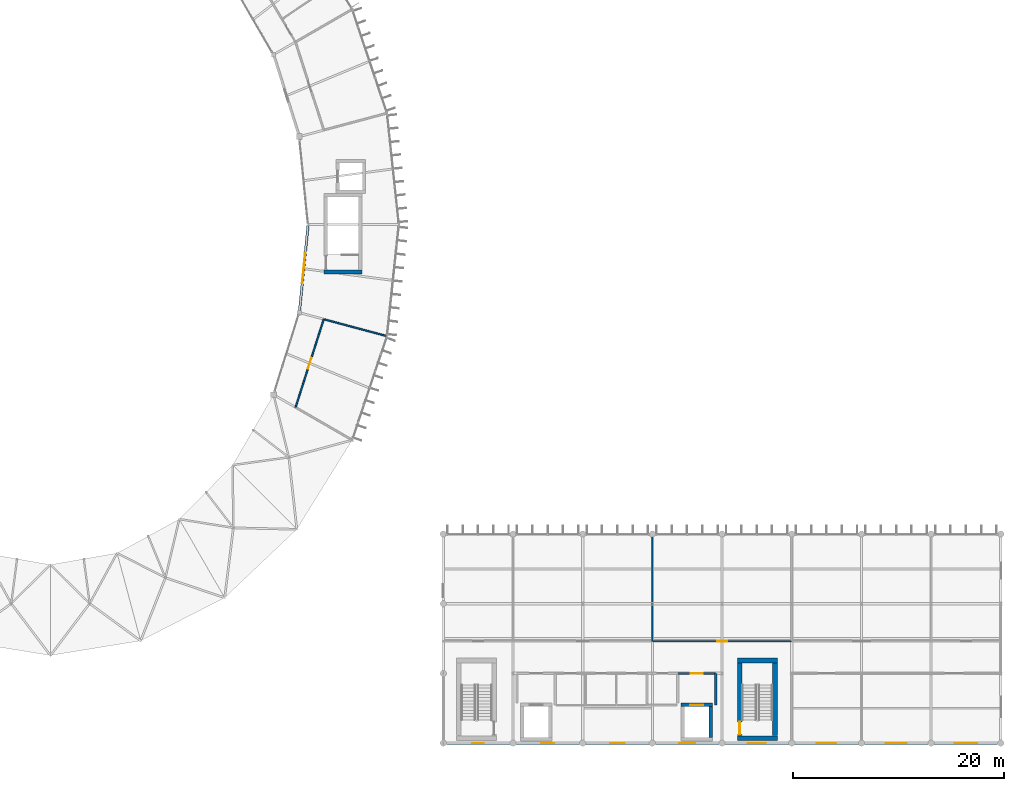
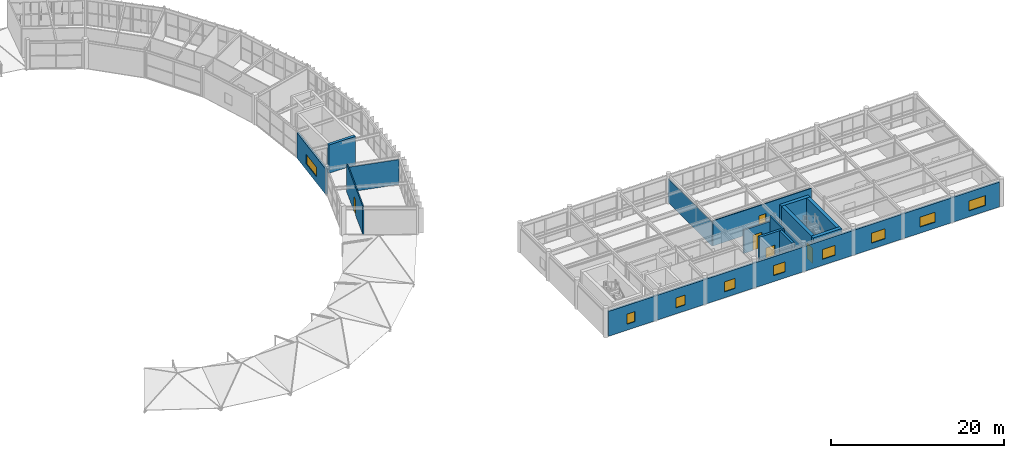
# One storey, part 56 of 66: 15 walls, 9 windows, 5 doors, 14 openings.
"""IFC4 building model written with IfcOpenShell, lengths in metres."""

from ifc_helpers import new_model, si_unit, direction, frame, frame_2d, origin, place, context, subcontext, project, spatial, rectangle, extrude, material, layer, layer_set, type_object, element, fill, save


model = new_model("IFC4")

# Units and contexts
model_context = context("Model", 3, precision=1e-05, world=origin(), true_north=direction((0.0, 1.0)))
body_context = subcontext(model_context, "Body", "Model", "MODEL_VIEW")
ifc_project = project(units=[si_unit("LENGTHUNIT", "METRE"), si_unit("AREAUNIT", "SQUARE_METRE"), si_unit("VOLUMEUNIT", "CUBIC_METRE"), si_unit("PLANEANGLEUNIT", "RADIAN"), si_unit("MASSUNIT", "GRAM", prefix="KILO")], contexts=[model_context])

# Site, building, storey
site_placement = place(None, origin())
site = spatial("IfcSite", under=ifc_project, at=site_placement, CompositionType="ELEMENT")
building_placement = place(site_placement, origin())
building = spatial("IfcBuilding", under=site, at=building_placement, Name="Karori Crest Natural Sciences Institute", CompositionType="ELEMENT")
storey_placement = place(building_placement, frame((0.0, 0.0, 30.10009765625)))
storey = spatial("IfcBuildingStorey", under=building, at=storey_placement, Name="L07", CompositionType="ELEMENT", Elevation=30.10009765625)

# Walls
ifc_material_1 = material(Name="Concrete 50 MPa", Category="concrete")
ifc_layer_1 = layer(ifc_material_1, 0.449951171875, Name="Concrete 50 MPa")
ifc_layer_set_1 = layer_set([ifc_layer_1], Name="Concrete 50 MPa")
wall_type_1 = type_object("IfcWallType", Name="IWT-01", PredefinedType="SHEAR", material=ifc_layer_set_1)
for number, where, z_axis, x_axis, name in (
    (1, (131.449951171875, 1.27490234375, 0.0), (0.0, 0.0, 1.0), (1.0, 0.0, 0.0), "Shear wall IW-0149"),
    (2, (131.449951171875, 8.625, 0.0), (0.0, 0.0, 1.0), (1.0, 0.0, 0.0), "Shear wall IW-0150"),
):
    element("IfcWall", number, at=place(storey_placement, frame(where, z_axis=z_axis, x_axis=x_axis)), inside=storey, type_object=wall_type_1, Name=name, PredefinedType="SHEAR", context=body_context, shape_type="SweptSolid", body=[
        extrude(rectangle(XDim=3.800048828125, YDim=0.449951171875, at=frame_2d((1.89990234375, 0.0))), origin(), (0.0, 0.0, 1.0), 4.02001953125),
    ])

# Wall, opening, door
wall_1_placement = place(storey_placement, frame((131.675048828125, 1.501953125, 0.0), z_axis=(0.0, 0.0, 1.0), x_axis=(0.0, 1.0, 0.0)))
wall_1 = element("IfcWall", 3, at=wall_1_placement, inside=storey, type_object=wall_type_1, Name="Shear wall IW-0151", PredefinedType="SHEAR", context=body_context, shape_type="SweptSolid", body=[
    extrude(rectangle(XDim=6.89599609375, YDim=0.449951171875, at=frame_2d((3.447998046875, 0.0))), origin(), (0.0, 0.0, 1.0), 4.02001953125),
])
opening_1_placement = place(wall_1_placement, frame((0.1201171875, 0.0, 0.0)))
opening_1 = element("IfcOpeningElement", 4, at=opening_1_placement, cuts=wall_1, Name="Opening ID-0038", PredefinedType="OPENING", context=body_context, shape_type="SweptSolid", body=[
    extrude(rectangle(XDim=1.199951171875, YDim=2.14990234375, at=frame_2d((0.60009765625, 1.074951171875))), frame((0.0, 0.23486328125, 0.0), z_axis=(0.0, -1.0, 0.0), x_axis=(1.0, 0.0, 0.0)), (0.0, 0.0, 1.0), 0.469970703125),
])
ifc_material_2 = material(Name="Stainless steel 316 and fire-rated timber", Category="steel")
door_type_1 = type_object("IfcDoorType", Name="IDT-01", OperationType="NOTDEFINED", PredefinedType="DOOR", material=ifc_material_2)
door_1_placement = place(opening_1_placement, origin())
door_1 = element("IfcDoor", 5, at=door_1_placement, inside=storey, type_object=door_type_1, Name="Stair ST-04 fire door ID-0038", OperationType="SINGLE_SWING_RIGHT", OverallHeight=2.14990234375, OverallWidth=1.199951171875, PredefinedType="DOOR", context=body_context, shape_type="SweptSolid", body=[
    extrude(rectangle(XDim=1.199951171875, YDim=2.14990234375, at=frame_2d((0.60009765625, 1.074951171875))), frame((0.0, 0.02490234375, 0.0), z_axis=(0.0, -1.0, 0.0), x_axis=(1.0, 0.0, 0.0)), (0.0, 0.0, 1.0), 0.050048828125),
])
fill(opening_1, door_1)

# Walls
wall_2_placement = place(storey_placement, frame((135.02490234375, 1.501953125, 0.0), z_axis=(0.0, 0.0, 1.0), x_axis=(0.0, 1.0, 0.0)))
element("IfcWall", 6, at=wall_2_placement, inside=storey, type_object=wall_type_1, Name="Shear wall IW-0152", PredefinedType="SHEAR", context=body_context, shape_type="SweptSolid", body=[
    extrude(rectangle(XDim=6.89599609375, YDim=0.449951171875, at=frame_2d((3.447998046875, 0.0))), origin(), (0.0, 0.0, 1.0), 4.02001953125),
])
ifc_layer_2 = layer(ifc_material_1, 0.35009765625, Name="Concrete 50 MPa")
ifc_layer_set_2 = layer_set([ifc_layer_2], Name="Concrete 50 MPa")
wall_type_2 = type_object("IfcWallType", Name="IWT-02", PredefinedType="SHEAR", material=ifc_layer_set_2)
wall_3_placement = place(storey_placement, frame((92.300048828125, 45.425048828125, 0.0), z_axis=(0.0, 0.0, 1.0), x_axis=(1.0, 0.0, 0.0)))
element("IfcWall", 7, at=wall_3_placement, inside=storey, type_object=wall_type_2, Name="Shear wall IW-0033", PredefinedType="SHEAR", context=body_context, shape_type="SweptSolid", body=[
    extrude(rectangle(XDim=3.599853515625, YDim=0.35009765625, at=frame_2d((1.7998046875, 0.0))), origin(), (0.0, 0.0, 1.0), 4.0),
])

# Wall, opening, door
ifc_layer_3 = layer(ifc_material_1, 0.320068359375, Name="Concrete 50 MPa")
ifc_layer_set_3 = layer_set([ifc_layer_3], Name="Concrete 50 MPa")
wall_type_3 = type_object("IfcWallType", Name="IWT-03", PredefinedType="SHEAR", material=ifc_layer_set_3)
wall_4_placement = place(storey_placement, frame((126.1201171875, 4.419921875, 0.0), z_axis=(0.0, 0.0, 1.0), x_axis=(1.0, 0.0, 0.0)))
wall_4 = element("IfcWall", 8, at=wall_4_placement, inside=storey, type_object=wall_type_3, Name="Shear wall IW-0386", PredefinedType="SHEAR", context=body_context, shape_type="SweptSolid", body=[
    extrude(rectangle(XDim=2.9599609375, YDim=0.320068359375, at=frame_2d((1.47998046875, 0.0))), origin(), (0.0, 0.0, 1.0), 4.02001953125),
])
opening_2_placement = place(wall_4_placement, frame((0.8798828125, 0.0, 0.0)))
opening_2 = element("IfcOpeningElement", 9, at=opening_2_placement, cuts=wall_4, Name="Opening LD-0021", PredefinedType="OPENING", context=body_context, shape_type="SweptSolid", body=[
    extrude(rectangle(XDim=1.199951171875, YDim=2.199951171875, at=frame_2d((0.60009765625, 1.10009765625))), frame((0.0, 0.169921875, 0.0), z_axis=(0.0, -1.0, 0.0), x_axis=(1.0, 0.0, 0.0)), (0.0, 0.0, 1.0), 0.340087890625),
])
door_type_2 = type_object("IfcDoorType", Name="LDT-02", OperationType="SLIDING_TO_LEFT", PredefinedType="DOOR", material=ifc_material_2)
door_2_placement = place(opening_2_placement, origin())
door_2 = element("IfcDoor", 10, at=door_2_placement, inside=storey, type_object=door_type_2, Name="Lift LF-02 landing door LD-0021", OperationType="SLIDING_TO_LEFT", OverallHeight=2.199951171875, OverallWidth=1.199951171875, PredefinedType="DOOR", context=body_context, shape_type="SweptSolid", body=[
    extrude(rectangle(XDim=1.199951171875, YDim=2.199951171875, at=frame_2d((0.60009765625, 1.10009765625))), frame((0.0, 0.02490234375, 0.0), z_axis=(0.0, -1.0, 0.0), x_axis=(1.0, 0.0, 0.0)), (0.0, 0.0, 1.0), 0.050048828125),
])
fill(opening_2, door_2)

# Wall
wall_5_placement = place(storey_placement, frame((128.919921875, 1.342041015625, 0.0), z_axis=(0.0, 0.0, 1.0), x_axis=(0.0, 1.0, 0.0)))
element("IfcWall", 11, at=wall_5_placement, inside=storey, type_object=wall_type_3, Name="Shear wall IW-0388", PredefinedType="SHEAR", context=body_context, shape_type="SweptSolid", body=[
    extrude(rectangle(XDim=2.916015625, YDim=0.320068359375, at=frame_2d((1.4580078125, 0.0))), origin(), (0.0, 0.0, 1.0), 4.02001953125),
])

# Wall, opening, door
ifc_material_3 = material(Name="Concrete 40 MPa", Category="concrete")
ifc_layer_4 = layer(ifc_material_3, 0.199951171875, Name="Concrete 40 MPa")
ifc_layer_set_4 = layer_set([ifc_layer_4], Name="Concrete 40 MPa")
wall_type_4 = type_object("IfcWallType", Name="IWT-04", PredefinedType="SOLIDWALL", material=ifc_layer_set_4)
wall_6_placement = place(storey_placement, frame((125.800048828125, 7.39990234375, 0.0), z_axis=(0.0, 0.0, 1.0), x_axis=(1.0, 0.0, 0.0)))
wall_6 = element("IfcWall", 12, at=wall_6_placement, inside=storey, type_object=wall_type_4, Name="Partition wall IW-0783", PredefinedType="SOLIDWALL", context=body_context, shape_type="SweptSolid", body=[
    extrude(rectangle(XDim=3.599853515625, YDim=0.199951171875, at=frame_2d((1.7998046875, 0.0))), origin(), (0.0, 0.0, 1.0), 3.29296875),
])
opening_3_placement = place(wall_6_placement, frame((1.22509765625, 0.0, 0.0)))
opening_3 = element("IfcOpeningElement", 13, at=opening_3_placement, cuts=wall_6, Name="Opening ID-0175", PredefinedType="OPENING", context=body_context, shape_type="SweptSolid", body=[
    extrude(rectangle(XDim=1.14990234375, YDim=2.14990234375, at=frame_2d((0.574951171875, 1.074951171875))), frame((0.0, 0.10986328125, 0.0), z_axis=(0.0, -1.0, 0.0), x_axis=(1.0, 0.0, 0.0)), (0.0, 0.0, 1.0), 0.219970703125),
])
door_type_3 = type_object("IfcDoorType", Name="IDT-02", OperationType="NOTDEFINED", PredefinedType="DOOR", material=ifc_material_2)
door_3_placement = place(opening_3_placement, origin())
door_3 = element("IfcDoor", 14, at=door_3_placement, inside=storey, type_object=door_type_3, Name="Firefighting Lift Lobby East door ID-0175", OperationType="SINGLE_SWING_RIGHT", OverallHeight=2.14990234375, OverallWidth=1.14990234375, PredefinedType="DOOR", context=body_context, shape_type="SweptSolid", body=[
    extrude(rectangle(XDim=1.14990234375, YDim=2.14990234375, at=frame_2d((0.574951171875, 1.074951171875))), frame((0.0, 0.02490234375, 0.0), z_axis=(0.0, -1.0, 0.0), x_axis=(1.0, 0.0, 0.0)), (0.0, 0.0, 1.0), 0.050048828125),
])
fill(opening_3, door_3)

# Wall
wall_7_placement = place(storey_placement, frame((129.39990234375, 4.39990234375, 0.0), z_axis=(0.0, 0.0, 1.0), x_axis=(0.0, 1.0, 0.0)))
element("IfcWall", 15, at=wall_7_placement, inside=storey, type_object=wall_type_4, Name="Partition wall IW-0785", PredefinedType="SOLIDWALL", context=body_context, shape_type="SweptSolid", body=[
    extrude(rectangle(XDim=3.0, YDim=0.199951171875, at=frame_2d((1.5, 0.0))), origin(), (0.0, 0.0, 1.0), 4.02001953125),
])

# Wall, opening, door
ifc_material_4 = material(Name="Laboratory acoustic drywall partition")
ifc_layer_5 = layer(ifc_material_4, 0.139892578125, Name="Laboratory acoustic drywall partition")
ifc_layer_set_5 = layer_set([ifc_layer_5], Name="Laboratory acoustic drywall partition")
wall_type_5 = type_object("IfcWallType", Name="IWT-07", PredefinedType="PARTITIONING", material=ifc_layer_set_5)
wall_8_placement = place(storey_placement, frame((89.609619140625, 32.60009765625, 0.0), z_axis=(0.0, 0.0, 1.0), x_axis=(0.305493323507, 0.952194218263, 0.0)))
wall_8 = element("IfcWall", 16, at=wall_8_placement, inside=storey, type_object=wall_type_5, Name="Partition wall IW-1440", PredefinedType="PARTITIONING", context=body_context, shape_type="SweptSolid", body=[
    extrude(rectangle(XDim=8.763671875, YDim=0.139892578125, at=frame_2d((4.3818359375, 0.0))), origin(), (0.0, 0.0, 1.0), 3.97998046875),
])
opening_4_placement = place(wall_8_placement, frame((3.85693359375, 0.0, 0.0)))
opening_4 = element("IfcOpeningElement", 17, at=opening_4_placement, cuts=wall_8, Name="Opening ID-0462", PredefinedType="OPENING", context=body_context, shape_type="SweptSolid", body=[
    extrude(rectangle(XDim=1.050048828125, YDim=2.14990234375, at=frame_2d((0.52490234375, 1.074951171875))), frame((0.0, 0.080078125, 0.0), z_axis=(0.0, -1.0, 0.0), x_axis=(1.0, 0.0, 0.0)), (0.0, 0.0, 1.0), 0.159912109375),
])
door_type_4 = type_object("IfcDoorType", Name="IDT-03", OperationType="NOTDEFINED", PredefinedType="DOOR", material=ifc_material_2)
door_4_placement = place(opening_4_placement, origin())
door_4 = element("IfcDoor", 18, at=door_4_placement, inside=storey, type_object=door_type_4, Name="Atmospheric Physics Laboratory door ID-0462", OperationType="SINGLE_SWING_LEFT", OverallHeight=2.14990234375, OverallWidth=1.050048828125, PredefinedType="DOOR", context=body_context, shape_type="SweptSolid", body=[
    extrude(rectangle(XDim=1.050048828125, YDim=2.14990234375, at=frame_2d((0.52490234375, 1.074951171875))), frame((0.0, 0.02490234375, 0.0), z_axis=(0.0, -1.0, 0.0), x_axis=(1.0, 0.0, 0.0)), (0.0, 0.0, 1.0), 0.050048828125),
])
fill(opening_4, door_4)

# Walls
wall_9_placement = place(storey_placement, frame((92.364013671875, 40.92431640625, 0.0), z_axis=(0.0, 0.0, 1.0), x_axis=(0.96591927772, -0.258843483457, 0.0)))
element("IfcWall", 19, at=wall_9_placement, inside=storey, type_object=wall_type_5, Name="Partition wall IW-1442", PredefinedType="PARTITIONING", context=body_context, shape_type="SweptSolid", body=[
    extrude(rectangle(XDim=6.06005859375, YDim=0.139892578125, at=frame_2d((3.030029296875, 0.0))), origin(), (0.0, 0.0, 1.0), 3.52197265625),
])
ifc_material_5 = material(Name="Write-up office acoustic partition")
ifc_layer_6 = layer(ifc_material_5, 0.1201171875, Name="Write-up office acoustic partition")
ifc_layer_set_6 = layer_set([ifc_layer_6], Name="Write-up office acoustic partition")
wall_type_6 = type_object("IfcWallType", Name="IWT-08", PredefinedType="PARTITIONING", material=ifc_layer_set_6)
wall_10_placement = place(storey_placement, frame((123.39990234375, 10.449951171875, 0.0), z_axis=(0.0, 0.0, 1.0), x_axis=(0.0, 1.0, 0.0)))
element("IfcWall", 20, at=wall_10_placement, inside=storey, type_object=wall_type_6, Name="Partition wall IW-0804", PredefinedType="PARTITIONING", context=body_context, shape_type="SweptSolid", body=[
    extrude(rectangle(XDim=10.150146484375, YDim=0.1201171875, at=frame_2d((5.0751953125, 0.0))), origin(), (0.0, 0.0, 1.0), 3.371826171875),
])

# Wall, opening, door
wall_11_placement = place(storey_placement, frame((123.4619140625, 10.449951171875, 0.0), z_axis=(0.0, 0.0, 1.0), x_axis=(1.0, 0.0, 0.0)))
wall_11 = element("IfcWall", 21, at=wall_11_placement, inside=storey, type_object=wall_type_6, Name="Partition wall IW-0805", PredefinedType="PARTITIONING", context=body_context, shape_type="SweptSolid", body=[
    extrude(rectangle(XDim=13.13818359375, YDim=0.1201171875, at=frame_2d((6.569091796875, 0.0))), origin(), (0.0, 0.0, 1.0), 3.5458984375),
])
opening_5_placement = place(wall_11_placement, frame((6.093994140625, 0.0, 0.0)))
opening_5 = element("IfcOpeningElement", 22, at=opening_5_placement, cuts=wall_11, Name="Opening ID-0184", PredefinedType="OPENING", context=body_context, shape_type="SweptSolid", body=[
    extrude(rectangle(XDim=0.949951171875, YDim=2.10009765625, at=frame_2d((0.47509765625, 1.050048828125))), frame((0.0, 0.070068359375, 0.0), z_axis=(0.0, -1.0, 0.0), x_axis=(1.0, 0.0, 0.0)), (0.0, 0.0, 1.0), 0.14013671875),
])
ifc_material_6 = material(Name="Anodised aluminium and acoustic timber", Category="wood")
door_type_5 = type_object("IfcDoorType", Name="IDT-08", OperationType="NOTDEFINED", PredefinedType="DOOR", material=ifc_material_6)
door_5_placement = place(opening_5_placement, origin())
door_5 = element("IfcDoor", 23, at=door_5_placement, inside=storey, type_object=door_type_5, Name="Genomics Dry Studio door ID-0184", OperationType="SINGLE_SWING_LEFT", OverallHeight=2.10009765625, OverallWidth=0.949951171875, PredefinedType="DOOR", context=body_context, shape_type="SweptSolid", body=[
    extrude(rectangle(XDim=0.949951171875, YDim=2.10009765625, at=frame_2d((0.47509765625, 1.050048828125))), frame((0.0, 0.02490234375, 0.0), z_axis=(0.0, -1.0, 0.0), x_axis=(1.0, 0.0, 0.0)), (0.0, 0.0, 1.0), 0.050048828125),
])
fill(opening_5, door_5)

# Wall, opening, window
ifc_material_7 = material(Name="Precast concrete 40 MPa", Category="concrete")
ifc_layer_7 = layer(ifc_material_7, 0.239990234375, Name="Precast concrete 40 MPa")
ifc_layer_set_7 = layer_set([ifc_layer_7], Name="Precast concrete 40 MPa")
wall_type_7 = type_object("IfcWallType", Name="WT-04", PredefinedType="SOLIDWALL", material=ifc_layer_set_7)
wall_12_placement = place(storey_placement, frame((89.98828125, 41.763916015625, 0.0), z_axis=(0.0, 0.0, 1.0), x_axis=(0.099282146725, 0.995059322524, 0.0)))
wall_12 = element("IfcWall", 24, at=wall_12_placement, inside=storey, type_object=wall_type_7, Name="Exterior wall EW-0110", PredefinedType="SOLIDWALL", context=body_context, shape_type="SweptSolid", body=[
    extrude(rectangle(XDim=8.072998046875, YDim=0.239990234375, at=frame_2d((4.03662109375, 0.0))), origin(), (0.0, 0.0, 1.0), 3.599853515625),
])
opening_6_placement = place(wall_12_placement, frame((2.58642578125, 0.0, 0.85009765625)))
opening_6 = element("IfcOpeningElement", 25, at=opening_6_placement, cuts=wall_12, Name="Opening WN-0053", PredefinedType="OPENING", context=body_context, shape_type="SweptSolid", body=[
    extrude(rectangle(XDim=2.89990234375, YDim=1.35009765625, at=frame_2d((1.449951171875, 0.675048828125))), frame((0.0, 0.1298828125, 0.0), z_axis=(0.0, -1.0, 0.0), x_axis=(1.0, 0.0, 0.0)), (0.0, 0.0, 1.0), 0.260009765625),
])
ifc_material_8 = material(Name="Double low-E laminated glass", Category="glass")
window_type_1 = type_object("IfcWindowType", Name="WNT-24", PartitioningType="SINGLE_PANEL", PredefinedType="WINDOW", material=ifc_material_8)
window_1_placement = place(opening_6_placement, origin())
window_1 = element("IfcWindow", 26, at=window_1_placement, inside=storey, type_object=window_type_1, Name="Window WN-0053", OverallHeight=1.35009765625, OverallWidth=2.89990234375, PartitioningType="SINGLE_PANEL", PredefinedType="WINDOW", context=body_context, shape_type="SweptSolid", body=[
    extrude(rectangle(XDim=2.89990234375, YDim=1.35009765625, at=frame_2d((1.449951171875, 0.675048828125))), frame((0.0, 0.030029296875, 0.0), z_axis=(0.0, -1.0, 0.0), x_axis=(1.0, 0.0, 0.0)), (0.0, 0.0, 1.0), 0.06005859375),
])
fill(opening_6, window_1)

# Wall, openings, windows
wall_13_placement = place(storey_placement, frame((156.10205078125, 0.800048828125, 0.0), z_axis=(0.0, 0.0, 1.0), x_axis=(-1.0, 0.0, 0.0)))
wall_13 = element("IfcWall", 27, at=wall_13_placement, inside=storey, type_object=wall_type_7, Name="Exterior wall EW-0217", PredefinedType="SOLIDWALL", context=body_context, shape_type="SweptSolid", body=[
    extrude(rectangle(XDim=52.2041015625, YDim=0.239990234375, at=frame_2d((26.10205078125, 0.0))), origin(), (0.0, 0.0, 1.0), 3.5048828125),
])
opening_7_placement = place(wall_13_placement, frame((48.652099609375, 0.0, 0.85009765625)))
opening_7 = element("IfcOpeningElement", 28, at=opening_7_placement, cuts=wall_13, Name="Opening WN-0205", PredefinedType="OPENING", context=body_context, shape_type="SweptSolid", body=[
    extrude(rectangle(XDim=1.10009765625, YDim=1.39990234375, at=frame_2d((0.550048828125, 0.699951171875))), frame((0.0, 0.1298828125, 0.0), z_axis=(0.0, -1.0, 0.0), x_axis=(1.0, 0.0, 0.0)), (0.0, 0.0, 1.0), 0.260009765625),
])
opening_8_placement = place(wall_13_placement, frame((41.97705078125, 0.0, 0.85009765625)))
opening_8 = element("IfcOpeningElement", 29, at=opening_8_placement, cuts=wall_13, Name="Opening WN-0206", PredefinedType="OPENING", context=body_context, shape_type="SweptSolid", body=[
    extrude(rectangle(XDim=1.25, YDim=1.39990234375, at=frame_2d((0.625, 0.699951171875))), frame((0.0, 0.1298828125, 0.0), z_axis=(0.0, -1.0, 0.0), x_axis=(1.0, 0.0, 0.0)), (0.0, 0.0, 1.0), 0.260009765625),
])
opening_9_placement = place(wall_13_placement, frame((35.302001953125, 0.0, 0.85009765625)))
opening_9 = element("IfcOpeningElement", 30, at=opening_9_placement, cuts=wall_13, Name="Opening WN-0207", PredefinedType="OPENING", context=body_context, shape_type="SweptSolid", body=[
    extrude(rectangle(XDim=1.39990234375, YDim=1.39990234375, at=frame_2d((0.699951171875, 0.699951171875))), frame((0.0, 0.1298828125, 0.0), z_axis=(0.0, -1.0, 0.0), x_axis=(1.0, 0.0, 0.0)), (0.0, 0.0, 1.0), 0.260009765625),
])
opening_10_placement = place(wall_13_placement, frame((28.626953125, 0.0, 0.85009765625)))
opening_10 = element("IfcOpeningElement", 31, at=opening_10_placement, cuts=wall_13, Name="Opening WN-0208", PredefinedType="OPENING", context=body_context, shape_type="SweptSolid", body=[
    extrude(rectangle(XDim=1.550048828125, YDim=1.39990234375, at=frame_2d((0.77490234375, 0.699951171875))), frame((0.0, 0.1298828125, 0.0), z_axis=(0.0, -1.0, 0.0), x_axis=(1.0, 0.0, 0.0)), (0.0, 0.0, 1.0), 0.260009765625),
])
opening_11_placement = place(wall_13_placement, frame((21.951904296875, 0.0, 0.85009765625)))
opening_11 = element("IfcOpeningElement", 32, at=opening_11_placement, cuts=wall_13, Name="Opening WN-0209", PredefinedType="OPENING", context=body_context, shape_type="SweptSolid", body=[
    extrude(rectangle(XDim=1.699951171875, YDim=1.39990234375, at=frame_2d((0.85009765625, 0.699951171875))), frame((0.0, 0.1298828125, 0.0), z_axis=(0.0, -1.0, 0.0), x_axis=(1.0, 0.0, 0.0)), (0.0, 0.0, 1.0), 0.260009765625),
])
opening_12_placement = place(wall_13_placement, frame((15.277099609375, 0.0, 0.85009765625)))
opening_12 = element("IfcOpeningElement", 33, at=opening_12_placement, cuts=wall_13, Name="Opening WN-0210", PredefinedType="OPENING", context=body_context, shape_type="SweptSolid", body=[
    extrude(rectangle(XDim=1.85009765625, YDim=1.39990234375, at=frame_2d((0.925048828125, 0.699951171875))), frame((0.0, 0.1298828125, 0.0), z_axis=(0.0, -1.0, 0.0), x_axis=(1.0, 0.0, 0.0)), (0.0, 0.0, 1.0), 0.260009765625),
])
opening_13_placement = place(wall_13_placement, frame((8.60205078125, 0.0, 0.85009765625)))
opening_13 = element("IfcOpeningElement", 34, at=opening_13_placement, cuts=wall_13, Name="Opening WN-0211", PredefinedType="OPENING", context=body_context, shape_type="SweptSolid", body=[
    extrude(rectangle(XDim=2.0, YDim=1.39990234375, at=frame_2d((1.0, 0.699951171875))), frame((0.0, 0.1298828125, 0.0), z_axis=(0.0, -1.0, 0.0), x_axis=(1.0, 0.0, 0.0)), (0.0, 0.0, 1.0), 0.260009765625),
])
opening_14_placement = place(wall_13_placement, frame((1.927001953125, 0.0, 0.85009765625)))
opening_14 = element("IfcOpeningElement", 35, at=opening_14_placement, cuts=wall_13, Name="Opening WN-0212", PredefinedType="OPENING", context=body_context, shape_type="SweptSolid", body=[
    extrude(rectangle(XDim=2.14990234375, YDim=1.39990234375, at=frame_2d((1.074951171875, 0.699951171875))), frame((0.0, 0.1298828125, 0.0), z_axis=(0.0, -1.0, 0.0), x_axis=(1.0, 0.0, 0.0)), (0.0, 0.0, 1.0), 0.260009765625),
])
window_type_2 = type_object("IfcWindowType", Name="WNT-01", PartitioningType="SINGLE_PANEL", PredefinedType="WINDOW", material=ifc_material_8)
window_2_placement = place(opening_7_placement, origin())
window_2 = element("IfcWindow", 36, at=window_2_placement, inside=storey, type_object=window_type_2, Name="Window WN-0205", OverallHeight=1.39990234375, OverallWidth=1.10009765625, PartitioningType="SINGLE_PANEL", PredefinedType="WINDOW", context=body_context, shape_type="SweptSolid", body=[
    extrude(rectangle(XDim=1.10009765625, YDim=1.39990234375, at=frame_2d((0.550048828125, 0.699951171875))), frame((0.0, 0.030029296875, 0.0), z_axis=(0.0, -1.0, 0.0), x_axis=(1.0, 0.0, 0.0)), (0.0, 0.0, 1.0), 0.06005859375),
])
fill(opening_7, window_2)
window_type_3 = type_object("IfcWindowType", Name="WNT-02", PartitioningType="SINGLE_PANEL", PredefinedType="WINDOW", material=ifc_material_8)
window_3_placement = place(opening_8_placement, origin())
window_3 = element("IfcWindow", 37, at=window_3_placement, inside=storey, type_object=window_type_3, Name="Window WN-0206", OverallHeight=1.39990234375, OverallWidth=1.25, PartitioningType="SINGLE_PANEL", PredefinedType="WINDOW", context=body_context, shape_type="SweptSolid", body=[
    extrude(rectangle(XDim=1.25, YDim=1.39990234375, at=frame_2d((0.625, 0.699951171875))), frame((0.0, 0.030029296875, 0.0), z_axis=(0.0, -1.0, 0.0), x_axis=(1.0, 0.0, 0.0)), (0.0, 0.0, 1.0), 0.06005859375),
])
fill(opening_8, window_3)
window_type_4 = type_object("IfcWindowType", Name="WNT-03", PartitioningType="SINGLE_PANEL", PredefinedType="WINDOW", material=ifc_material_8)
window_4_placement = place(opening_9_placement, origin())
window_4 = element("IfcWindow", 38, at=window_4_placement, inside=storey, type_object=window_type_4, Name="Window WN-0207", OverallHeight=1.39990234375, OverallWidth=1.39990234375, PartitioningType="SINGLE_PANEL", PredefinedType="WINDOW", context=body_context, shape_type="SweptSolid", body=[
    extrude(rectangle(XDim=1.39990234375, YDim=1.39990234375, at=frame_2d((0.699951171875, 0.699951171875))), frame((0.0, 0.030029296875, 0.0), z_axis=(0.0, -1.0, 0.0), x_axis=(1.0, 0.0, 0.0)), (0.0, 0.0, 1.0), 0.06005859375),
])
fill(opening_9, window_4)
window_type_5 = type_object("IfcWindowType", Name="WNT-04", PartitioningType="SINGLE_PANEL", PredefinedType="WINDOW", material=ifc_material_8)
window_5_placement = place(opening_10_placement, origin())
window_5 = element("IfcWindow", 39, at=window_5_placement, inside=storey, type_object=window_type_5, Name="Window WN-0208", OverallHeight=1.39990234375, OverallWidth=1.550048828125, PartitioningType="SINGLE_PANEL", PredefinedType="WINDOW", context=body_context, shape_type="SweptSolid", body=[
    extrude(rectangle(XDim=1.550048828125, YDim=1.39990234375, at=frame_2d((0.77490234375, 0.699951171875))), frame((0.0, 0.030029296875, 0.0), z_axis=(0.0, -1.0, 0.0), x_axis=(1.0, 0.0, 0.0)), (0.0, 0.0, 1.0), 0.06005859375),
])
fill(opening_10, window_5)
window_type_6 = type_object("IfcWindowType", Name="WNT-05", PartitioningType="SINGLE_PANEL", PredefinedType="WINDOW", material=ifc_material_8)
window_6_placement = place(opening_11_placement, origin())
window_6 = element("IfcWindow", 40, at=window_6_placement, inside=storey, type_object=window_type_6, Name="Window WN-0209", OverallHeight=1.39990234375, OverallWidth=1.699951171875, PartitioningType="SINGLE_PANEL", PredefinedType="WINDOW", context=body_context, shape_type="SweptSolid", body=[
    extrude(rectangle(XDim=1.699951171875, YDim=1.39990234375, at=frame_2d((0.85009765625, 0.699951171875))), frame((0.0, 0.030029296875, 0.0), z_axis=(0.0, -1.0, 0.0), x_axis=(1.0, 0.0, 0.0)), (0.0, 0.0, 1.0), 0.06005859375),
])
fill(opening_11, window_6)
window_type_7 = type_object("IfcWindowType", Name="WNT-06", PartitioningType="SINGLE_PANEL", PredefinedType="WINDOW", material=ifc_material_8)
window_7_placement = place(opening_12_placement, origin())
window_7 = element("IfcWindow", 41, at=window_7_placement, inside=storey, type_object=window_type_7, Name="Window WN-0210", OverallHeight=1.39990234375, OverallWidth=1.85009765625, PartitioningType="SINGLE_PANEL", PredefinedType="WINDOW", context=body_context, shape_type="SweptSolid", body=[
    extrude(rectangle(XDim=1.85009765625, YDim=1.39990234375, at=frame_2d((0.925048828125, 0.699951171875))), frame((0.0, 0.030029296875, 0.0), z_axis=(0.0, -1.0, 0.0), x_axis=(1.0, 0.0, 0.0)), (0.0, 0.0, 1.0), 0.06005859375),
])
fill(opening_12, window_7)
window_type_8 = type_object("IfcWindowType", Name="WNT-07", PartitioningType="SINGLE_PANEL", PredefinedType="WINDOW", material=ifc_material_8)
window_8_placement = place(opening_13_placement, origin())
window_8 = element("IfcWindow", 42, at=window_8_placement, inside=storey, type_object=window_type_8, Name="Window WN-0211", OverallHeight=1.39990234375, OverallWidth=2.0, PartitioningType="SINGLE_PANEL", PredefinedType="WINDOW", context=body_context, shape_type="SweptSolid", body=[
    extrude(rectangle(XDim=2.0, YDim=1.39990234375, at=frame_2d((1.0, 0.699951171875))), frame((0.0, 0.030029296875, 0.0), z_axis=(0.0, -1.0, 0.0), x_axis=(1.0, 0.0, 0.0)), (0.0, 0.0, 1.0), 0.06005859375),
])
fill(opening_13, window_8)
window_type_9 = type_object("IfcWindowType", Name="WNT-08", PartitioningType="SINGLE_PANEL", PredefinedType="WINDOW", material=ifc_material_8)
window_9_placement = place(opening_14_placement, origin())
window_9 = element("IfcWindow", 43, at=window_9_placement, inside=storey, type_object=window_type_9, Name="Window WN-0212", OverallHeight=1.39990234375, OverallWidth=2.14990234375, PartitioningType="SINGLE_PANEL", PredefinedType="WINDOW", context=body_context, shape_type="SweptSolid", body=[
    extrude(rectangle(XDim=2.14990234375, YDim=1.39990234375, at=frame_2d((1.074951171875, 0.699951171875))), frame((0.0, 0.030029296875, 0.0), z_axis=(0.0, -1.0, 0.0), x_axis=(1.0, 0.0, 0.0)), (0.0, 0.0, 1.0), 0.06005859375),
])
fill(opening_14, window_9)

save(model, "model.ifc")
